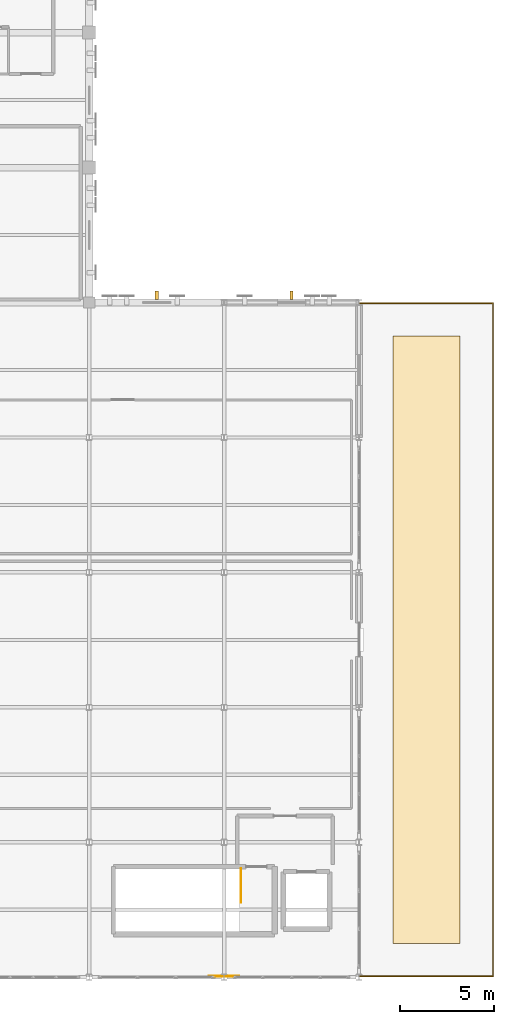
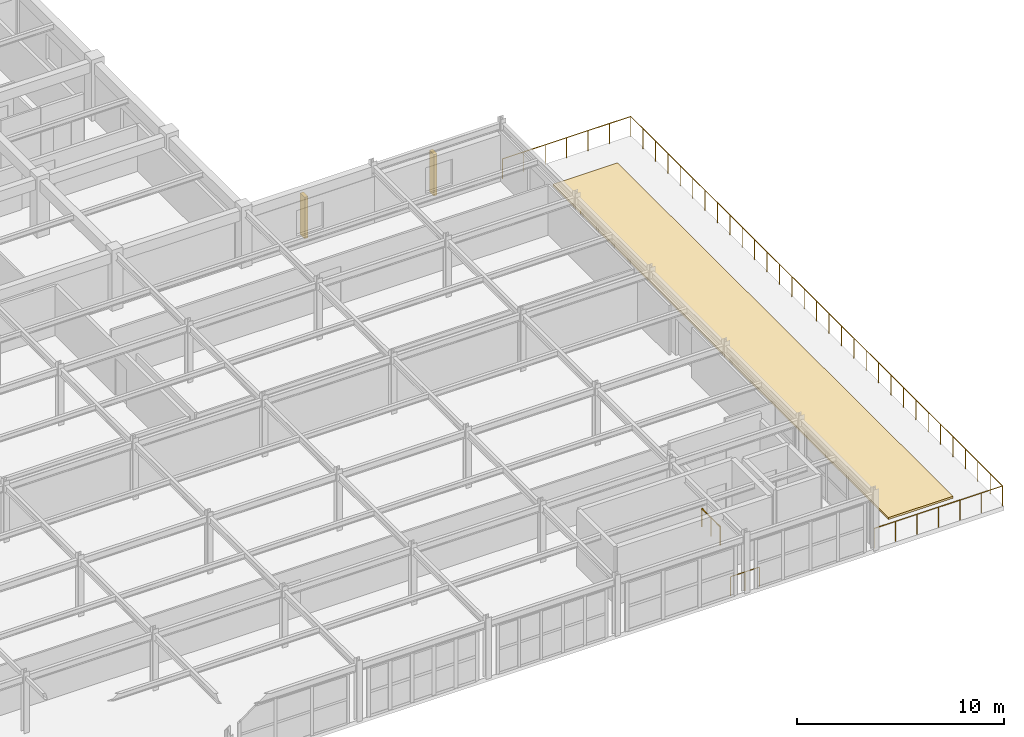
# One storey, part 73 of 73: 3 railings, 2 shading devices, 1 covering.
"""IFC4 building model written with IfcOpenShell, lengths in metres."""

from ifc_helpers import new_model, si_unit, direction, frame, origin, origin_2d, place, context, subcontext, project, spatial, polyline, rectangle, circle, outline, extrude, material, layer, layer_set, type_object, element, save


model = new_model("IFC4")

# Units and contexts
model_context = context("Model", 3, precision=1e-05, world=origin(), true_north=direction((0.0, 1.0)))
body_context = subcontext(model_context, "Body", "Model", "MODEL_VIEW")
ifc_project = project(units=[si_unit("LENGTHUNIT", "METRE"), si_unit("AREAUNIT", "SQUARE_METRE"), si_unit("VOLUMEUNIT", "CUBIC_METRE"), si_unit("PLANEANGLEUNIT", "RADIAN"), si_unit("MASSUNIT", "GRAM", prefix="KILO")], contexts=[model_context])

# Site, building, storey
site_placement = place(None, origin())
site = spatial("IfcSite", under=ifc_project, at=site_placement, CompositionType="ELEMENT")
building_placement = place(site_placement, origin())
building = spatial("IfcBuilding", under=site, at=building_placement, Name="Carrowvane Square Congress Hotel", CompositionType="ELEMENT")
storey_placement = place(building_placement, frame((0.0, 0.0, 19.199951171875)))
storey = spatial("IfcBuildingStorey", under=building, at=storey_placement, Name="L04", CompositionType="ELEMENT", Elevation=19.199951171875)

# Covering
ifc_material_1 = material(Name="Extensive sedum green roof substrate", Category="earth")
ifc_layer_1 = layer(ifc_material_1, 0.1201171875)
ifc_layer_set_1 = layer_set([ifc_layer_1], Name="Extensive sedum green roof substrate")
covering_type = type_object("IfcCoveringType", Name="COV-ROOF-SEDUM", PredefinedType="ROOFING", material=ifc_layer_set_1)
covering_placement = place(storey_placement, origin())
element("IfcCovering", 1, at=covering_placement, inside=storey, type_object=covering_type, Name="L04 sedum green roof planting bed 3", PredefinedType="ROOFING", context=body_context, shape_type="SweptSolid", body=[
    extrude(outline(polyline([(179.0, 57.60009765625), (179.0, 90.0), (182.60009765625, 90.0), (182.60009765625, 57.60009765625), (179.0, 57.60009765625)])), origin(), (0.0, 0.0, 1.0), 0.1201171875),
])

# Railings
ifc_material_2 = material(Name="Champagne-gold anodised aluminium", Category="aluminium")
ifc_layer_2 = layer(ifc_material_2, 0.070068359375)
ifc_layer_set_2 = layer_set([ifc_layer_2], Name="Champagne-gold anodised aluminium")
railing_type_1 = type_object("IfcRailingType", Name="RLG-BAL-BRZ1200", PredefinedType="BALUSTRADE", material=ifc_layer_set_2)
railing_1_placement = place(storey_placement, frame((177.199951171875, 91.75, 0.0)))
element("IfcRailing", 2, at=railing_1_placement, inside=storey, type_object=railing_type_1, Name="L04 protective terrace balustrade TER-V3-L04", PredefinedType="BALUSTRADE", context=body_context, shape_type="SweptSolid", body=[
    extrude(circle(Radius=0.02392578125, at=origin_2d()), frame((0.0, 0.0, 1.17578125), z_axis=(1.0, 0.0, 0.0), x_axis=(0.0, 1.0, 0.0)), (0.0, 0.0, 1.0), 7.150146484375),
    extrude(circle(Radius=0.02392578125, at=origin_2d()), frame((7.150146484375, 0.0, 1.17578125), z_axis=(0.0, -1.0, 0.0), x_axis=(1.0, 0.0, 0.0)), (0.0, 0.0, 1.0), 35.89990234375),
    extrude(circle(Radius=0.02392578125, at=origin_2d()), frame((7.150146484375, -35.89990234375, 1.17578125), z_axis=(-1.0, 0.0, 0.0), x_axis=(0.0, -1.0, 0.0)), (0.0, 0.0, 1.0), 7.150146484375),
    extrude(circle(Radius=0.02099609375, at=origin_2d()), origin(), (0.0, 0.0, 1.0), 1.15185546875),
    extrude(circle(Radius=0.02099609375, at=origin_2d()), frame((1.191650390625, 0.0, 0.0)), (0.0, 0.0, 1.0), 1.15185546875),
    extrude(circle(Radius=0.02099609375, at=origin_2d()), frame((2.38330078125, 0.0, 0.0)), (0.0, 0.0, 1.0), 1.15185546875),
    extrude(circle(Radius=0.02099609375, at=origin_2d()), frame((3.5751953125, 0.0, 0.0)), (0.0, 0.0, 1.0), 1.15185546875),
    extrude(circle(Radius=0.02099609375, at=origin_2d()), frame((4.766845703125, 0.0, 0.0)), (0.0, 0.0, 1.0), 1.15185546875),
    extrude(circle(Radius=0.02099609375, at=origin_2d()), frame((5.95849609375, 0.0, 0.0)), (0.0, 0.0, 1.0), 1.15185546875),
    extrude(circle(Radius=0.02099609375, at=origin_2d()), frame((7.150146484375, 0.0, 0.0)), (0.0, 0.0, 1.0), 1.15185546875),
    extrude(circle(Radius=0.02099609375, at=origin_2d()), frame((7.150146484375, -1.19677734375, 0.0)), (0.0, 0.0, 1.0), 1.15185546875),
    extrude(circle(Radius=0.02099609375, at=origin_2d()), frame((7.150146484375, -2.393310546875, 0.0)), (0.0, 0.0, 1.0), 1.15185546875),
    extrude(circle(Radius=0.02099609375, at=origin_2d()), frame((7.150146484375, -3.590087890625, 0.0)), (0.0, 0.0, 1.0), 1.15185546875),
    extrude(circle(Radius=0.02099609375, at=origin_2d()), frame((7.150146484375, -4.78662109375, 0.0)), (0.0, 0.0, 1.0), 1.15185546875),
    extrude(circle(Radius=0.02099609375, at=origin_2d()), frame((7.150146484375, -5.9833984375, 0.0)), (0.0, 0.0, 1.0), 1.15185546875),
    extrude(circle(Radius=0.02099609375, at=origin_2d()), frame((7.150146484375, -7.179931640625, 0.0)), (0.0, 0.0, 1.0), 1.15185546875),
    extrude(circle(Radius=0.02099609375, at=origin_2d()), frame((7.150146484375, -8.376708984375, 0.0)), (0.0, 0.0, 1.0), 1.15185546875),
    extrude(circle(Radius=0.02099609375, at=origin_2d()), frame((7.150146484375, -9.5732421875, 0.0)), (0.0, 0.0, 1.0), 1.15185546875),
    extrude(circle(Radius=0.02099609375, at=origin_2d()), frame((7.150146484375, -10.77001953125, 0.0)), (0.0, 0.0, 1.0), 1.15185546875),
    extrude(circle(Radius=0.02099609375, at=origin_2d()), frame((7.150146484375, -11.966552734375, 0.0)), (0.0, 0.0, 1.0), 1.15185546875),
    extrude(circle(Radius=0.02099609375, at=origin_2d()), frame((7.150146484375, -13.163330078125, 0.0)), (0.0, 0.0, 1.0), 1.15185546875),
    extrude(circle(Radius=0.02099609375, at=origin_2d()), frame((7.150146484375, -14.35986328125, 0.0)), (0.0, 0.0, 1.0), 1.15185546875),
    extrude(circle(Radius=0.02099609375, at=origin_2d()), frame((7.150146484375, -15.556640625, 0.0)), (0.0, 0.0, 1.0), 1.15185546875),
    extrude(circle(Radius=0.02099609375, at=origin_2d()), frame((7.150146484375, -16.753173828125, 0.0)), (0.0, 0.0, 1.0), 1.15185546875),
    extrude(circle(Radius=0.02099609375, at=origin_2d()), frame((7.150146484375, -17.949951171875, 0.0)), (0.0, 0.0, 1.0), 1.15185546875),
    extrude(circle(Radius=0.02099609375, at=origin_2d()), frame((7.150146484375, -19.146728515625, 0.0)), (0.0, 0.0, 1.0), 1.15185546875),
    extrude(circle(Radius=0.02099609375, at=origin_2d()), frame((7.150146484375, -20.34326171875, 0.0)), (0.0, 0.0, 1.0), 1.15185546875),
    extrude(circle(Radius=0.02099609375, at=origin_2d()), frame((7.150146484375, -21.5400390625, 0.0)), (0.0, 0.0, 1.0), 1.15185546875),
    extrude(circle(Radius=0.02099609375, at=origin_2d()), frame((7.150146484375, -22.736572265625, 0.0)), (0.0, 0.0, 1.0), 1.15185546875),
    extrude(circle(Radius=0.02099609375, at=origin_2d()), frame((7.150146484375, -23.933349609375, 0.0)), (0.0, 0.0, 1.0), 1.15185546875),
    extrude(circle(Radius=0.02099609375, at=origin_2d()), frame((7.150146484375, -25.1298828125, 0.0)), (0.0, 0.0, 1.0), 1.15185546875),
    extrude(circle(Radius=0.02099609375, at=origin_2d()), frame((7.150146484375, -26.32666015625, 0.0)), (0.0, 0.0, 1.0), 1.15185546875),
    extrude(circle(Radius=0.02099609375, at=origin_2d()), frame((7.150146484375, -27.523193359375, 0.0)), (0.0, 0.0, 1.0), 1.15185546875),
    extrude(circle(Radius=0.02099609375, at=origin_2d()), frame((7.150146484375, -28.719970703125, 0.0)), (0.0, 0.0, 1.0), 1.15185546875),
    extrude(circle(Radius=0.02099609375, at=origin_2d()), frame((7.150146484375, -29.91650390625, 0.0)), (0.0, 0.0, 1.0), 1.15185546875),
    extrude(circle(Radius=0.02099609375, at=origin_2d()), frame((7.150146484375, -31.11328125, 0.0)), (0.0, 0.0, 1.0), 1.15185546875),
    extrude(circle(Radius=0.02099609375, at=origin_2d()), frame((7.150146484375, -32.309814453125, 0.0)), (0.0, 0.0, 1.0), 1.15185546875),
    extrude(circle(Radius=0.02099609375, at=origin_2d()), frame((7.150146484375, -33.506591796875, 0.0)), (0.0, 0.0, 1.0), 1.15185546875),
    extrude(circle(Radius=0.02099609375, at=origin_2d()), frame((7.150146484375, -34.703125, 0.0)), (0.0, 0.0, 1.0), 1.15185546875),
    extrude(circle(Radius=0.02099609375, at=origin_2d()), frame((7.150146484375, -35.89990234375, 0.0)), (0.0, 0.0, 1.0), 1.15185546875),
    extrude(circle(Radius=0.02099609375, at=origin_2d()), frame((5.95849609375, -35.89990234375, 0.0)), (0.0, 0.0, 1.0), 1.15185546875),
    extrude(circle(Radius=0.02099609375, at=origin_2d()), frame((4.766845703125, -35.89990234375, 0.0)), (0.0, 0.0, 1.0), 1.15185546875),
    extrude(circle(Radius=0.02099609375, at=origin_2d()), frame((3.5751953125, -35.89990234375, 0.0)), (0.0, 0.0, 1.0), 1.15185546875),
    extrude(circle(Radius=0.02099609375, at=origin_2d()), frame((2.38330078125, -35.89990234375, 0.0)), (0.0, 0.0, 1.0), 1.15185546875),
    extrude(circle(Radius=0.02099609375, at=origin_2d()), frame((1.191650390625, -35.89990234375, 0.0)), (0.0, 0.0, 1.0), 1.15185546875),
    extrude(circle(Radius=0.02099609375, at=origin_2d()), frame((0.0, -35.89990234375, 0.0)), (0.0, 0.0, 1.0), 1.15185546875),
])
ifc_material_3 = material(Name="Stainless steel 316", Category="steel")
ifc_layer_3 = layer(ifc_material_3, 0.06494140625)
ifc_layer_set_3 = layer_set([ifc_layer_3], Name="Stainless steel 316")
railing_type_2 = type_object("IfcRailingType", Name="RLG-BAL-STL1150", PredefinedType="BALUSTRADE", material=ifc_layer_set_3)
railing_2_placement = place(storey_placement, frame((169.199951171875, 55.860107421875, 0.0)))
element("IfcRailing", 3, at=railing_2_placement, inside=storey, type_object=railing_type_2, Name="L04 perimeter gallery edge guard RLG-EDGE-L04-V3S", PredefinedType="BALUSTRADE", context=body_context, shape_type="SweptSolid", body=[
    extrude(circle(Radius=0.02392578125, at=origin_2d()), frame((0.0, 0.0, 1.1259765625), z_axis=(1.0, 0.0, 0.0), x_axis=(0.0, 1.0, 0.0)), (0.0, 0.0, 1.0), 1.60009765625),
    extrude(circle(Radius=0.02099609375, at=origin_2d()), origin(), (0.0, 0.0, 1.0), 1.101806640625),
    extrude(circle(Radius=0.02099609375, at=origin_2d()), frame((0.800048828125, 0.0, 0.0)), (0.0, 0.0, 1.0), 1.101806640625),
    extrude(circle(Radius=0.02099609375, at=origin_2d()), frame((1.60009765625, 0.0, 0.0)), (0.0, 0.0, 1.0), 1.101806640625),
])
ifc_material_4 = material(Name="Galvanised steel", Category="steel")
ifc_layer_4 = layer(ifc_material_4, 0.048095703125)
ifc_layer_set_4 = layer_set([ifc_layer_4], Name="Galvanised steel")
railing_type_3 = type_object("IfcRailingType", Name="RLG-STG-1100", PredefinedType="GUARDRAIL", material=ifc_layer_set_4)
railing_3_placement = place(storey_placement, frame((170.89990234375, 61.60009765625, 0.0)))
element("IfcRailing", 4, at=railing_3_placement, inside=storey, type_object=railing_type_3, Name="L04 ST4 top well guard 1", PredefinedType="GUARDRAIL", context=body_context, shape_type="SweptSolid", body=[
    extrude(circle(Radius=0.02392578125, at=origin_2d()), frame((0.0, 0.0, 1.076171875), z_axis=(0.0, -1.0, 0.0), x_axis=(1.0, 0.0, 0.0)), (0.0, 0.0, 1.0), 1.800048828125),
    extrude(circle(Radius=0.02099609375, at=origin_2d()), origin(), (0.0, 0.0, 1.0), 1.052001953125),
    extrude(circle(Radius=0.02099609375, at=origin_2d()), frame((0.0, -0.89990234375, 0.0)), (0.0, 0.0, 1.0), 1.052001953125),
    extrude(circle(Radius=0.02099609375, at=origin_2d()), frame((0.0, -1.800048828125, 0.0)), (0.0, 0.0, 1.0), 1.052001953125),
])

# Shading devices
ifc_material_5 = material(Name="Portland limestone cladding", Category="masonry")
shading_device_type = type_object("IfcShadingDeviceType", Name="SHD-FIN-LS", PredefinedType="USERDEFINED", material=ifc_material_5)
for number, where, z_axis, x_axis, name in (
    (5, (166.39990234375, 92.18994140625, 0.14990234375), (0.0, 0.0, 1.0), (1.0, 0.0, 0.0), "Limestone brise-soleil fin 28"),
    (6, (173.60009765625, 92.18994140625, 0.14990234375), (0.0, 0.0, 1.0), (1.0, 0.0, 0.0), "Limestone brise-soleil fin 29"),
):
    element("IfcShadingDevice", number, at=place(storey_placement, frame(where, z_axis=z_axis, x_axis=x_axis)), inside=storey, type_object=shading_device_type, Name=name, ObjectType="FIN", PredefinedType="USERDEFINED", context=body_context, shape_type="SweptSolid", body=[
        extrude(rectangle(XDim=0.179931640625, YDim=0.449951171875, at=origin_2d()), origin(), (0.0, 0.0, 1.0), 2.43505859375),
    ])

save(model, "model.ifc")
